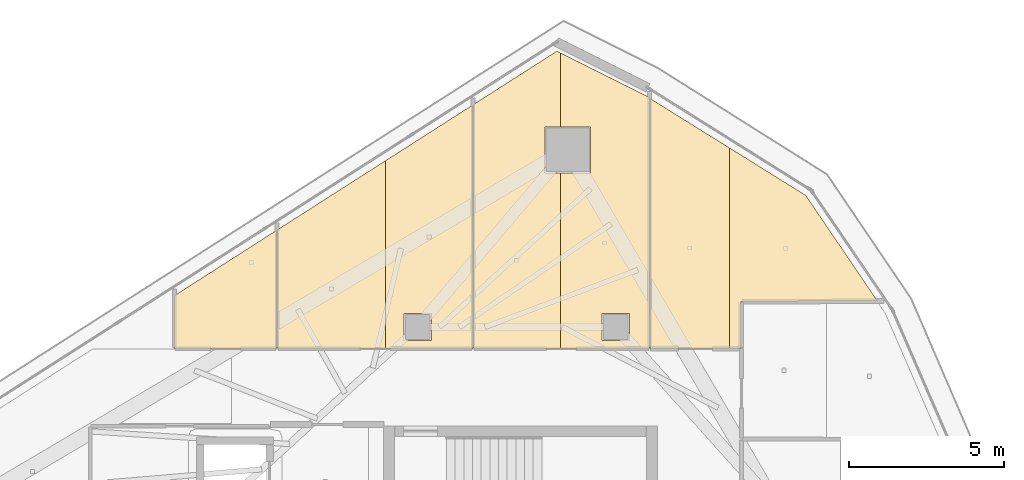
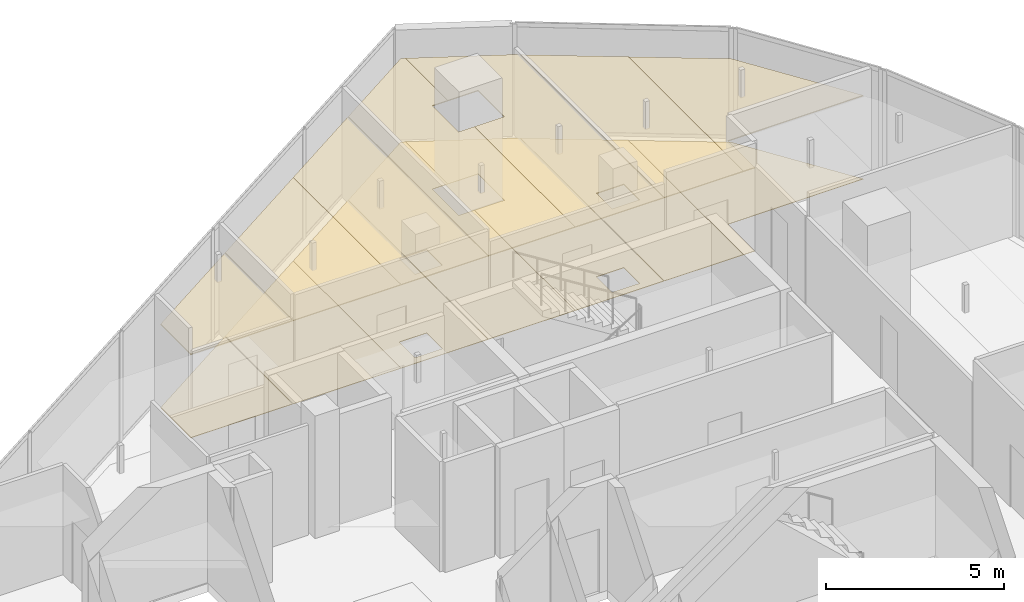
# One storey, part 26 of 26: 14 coverings.
"""IFC4 building model written with IfcOpenShell, lengths in metres."""

from ifc_helpers import new_model, si_unit, direction, frame, origin, place, context, subcontext, project, spatial, polyline, outline, extrude, material, layer, layer_set, type_object, element, save


model = new_model("IFC4")

# Units and contexts
model_context = context("Model", 3, precision=1e-05, world=origin(), true_north=direction((0.0, 1.0)))
body_context = subcontext(model_context, "Body", "Model", "MODEL_VIEW")
ifc_project = project(units=[si_unit("LENGTHUNIT", "METRE"), si_unit("AREAUNIT", "SQUARE_METRE"), si_unit("VOLUMEUNIT", "CUBIC_METRE"), si_unit("PLANEANGLEUNIT", "RADIAN"), si_unit("MASSUNIT", "GRAM", prefix="KILO")], contexts=[model_context])

# Site, building, storey
site_placement = place(None, origin())
site = spatial("IfcSite", under=ifc_project, at=site_placement, CompositionType="ELEMENT")
building_placement = place(site_placement, origin())
building = spatial("IfcBuilding", under=site, at=building_placement, Name="Qorvath Tower", CompositionType="ELEMENT")
storey_placement = place(building_placement, frame((0.0, 0.0, 322.800048828125)))
storey = spatial("IfcBuildingStorey", under=building, at=storey_placement, Name="L75", CompositionType="ELEMENT", Elevation=322.800048828125)

# Coverings
ifc_material_1 = material(Name="Acoustic mineral fibre ceiling tile", Category="gypsum")
ifc_layer_1 = layer(ifc_material_1, 0.030029296875)
ifc_layer_set_1 = layer_set([ifc_layer_1], Name="COV-CEIL")
covering_type_1 = type_object("IfcCoveringType", Name="COV-CEIL", PredefinedType="CEILING", material=ifc_layer_set_1)
covering_1_placement = place(storey_placement, frame((0.0, 0.0, 2.849853515625)))
element("IfcCovering", 1, at=covering_1_placement, inside=storey, type_object=covering_type_1, Name="L75 Suspended Acoustic Ceiling 012", PredefinedType="CEILING", context=body_context, shape_type="SweptSolid", body=[
    extrude(outline(polyline([(-28.15234375, 14.576904296875), (-31.455810546875, 12.465576171875), (-31.455810546875, 10.762939453125), (-28.15234375, 10.762939453125), (-28.15234375, 14.576904296875)])), origin(), (0.0, 0.0, 1.0), 0.030029296875),
])
covering_2_placement = place(storey_placement, frame((0.0, 0.0, 2.849853515625)))
element("IfcCovering", 2, at=covering_2_placement, inside=storey, type_object=covering_type_1, Name="L75 Suspended Acoustic Ceiling 013", PredefinedType="CEILING", context=body_context, shape_type="SweptSolid", body=[
    extrude(outline(polyline([(-24.635498046875, 10.762939453125), (-24.635498046875, 16.82470703125), (-28.13427734375, 14.58837890625), (-28.13427734375, 10.762939453125), (-24.635498046875, 10.762939453125)])), origin(), (0.0, 0.0, 1.0), 0.030029296875),
])
covering_3_placement = place(storey_placement, frame((0.0, 0.0, 2.849853515625)))
element("IfcCovering", 3, at=covering_3_placement, inside=storey, type_object=covering_type_1, Name="L75 Suspended Acoustic Ceiling 014", PredefinedType="CEILING", context=body_context, shape_type="SweptSolid", body=[
    extrude(outline(polyline([(-21.818115234375, 10.762939453125), (-21.8212890625, 18.62353515625), (-24.635498046875, 16.82470703125), (-24.635498046875, 10.762939453125), (-21.818115234375, 10.762939453125)]), holes=[polyline([(-24.04248046875, 11.007568359375), (-24.04248046875, 11.892333984375), (-23.157470703125, 11.892333984375), (-23.157470703125, 11.007568359375), (-24.04248046875, 11.007568359375)])]), origin(), (0.0, 0.0, 1.0), 0.030029296875),
])
covering_4_placement = place(storey_placement, frame((0.0, 0.0, 2.849853515625)))
element("IfcCovering", 4, at=covering_4_placement, inside=storey, type_object=covering_type_1, Name="L75 Suspended Acoustic Ceiling 015", PredefinedType="CEILING", context=body_context, shape_type="SweptSolid", body=[
    extrude(outline(polyline([(-21.800048828125, 10.762939453125), (-18.9873046875, 10.762939453125), (-18.9873046875, 16.43310546875), (-19.492919921875, 16.43310546875), (-19.492919921875, 17.91796875), (-18.9873046875, 17.91796875), (-18.9873046875, 20.306884765625), (-19.099365234375, 20.36279296875), (-21.80322265625, 18.634765625), (-21.800048828125, 10.762939453125)])), origin(), (0.0, 0.0, 1.0), 0.030029296875),
])
covering_5_placement = place(storey_placement, frame((0.0, 0.0, 2.849853515625)))
element("IfcCovering", 5, at=covering_5_placement, inside=storey, type_object=covering_type_1, Name="L75 Suspended Acoustic Ceiling 016", PredefinedType="CEILING", context=body_context, shape_type="SweptSolid", body=[
    extrude(outline(polyline([(-18.9873046875, 20.306884765625), (-18.9873046875, 17.91796875), (-18.008056640625, 17.91796875), (-18.008056640625, 16.43310546875), (-18.9873046875, 16.43310546875), (-18.9873046875, 10.762939453125), (-16.111328125, 10.762939453125), (-16.11376953125, 18.8681640625), (-18.9873046875, 20.306884765625)]), holes=[polyline([(-17.642333984375, 11.007568359375), (-17.642333984375, 11.892333984375), (-16.757568359375, 11.892333984375), (-16.757568359375, 11.007568359375), (-17.642333984375, 11.007568359375)])]), origin(), (0.0, 0.0, 1.0), 0.030029296875),
])
covering_6_placement = place(storey_placement, frame((0.0, 0.0, 2.849853515625)))
element("IfcCovering", 6, at=covering_6_placement, inside=storey, type_object=covering_type_1, Name="L75 Suspended Acoustic Ceiling 017", PredefinedType="CEILING", context=body_context, shape_type="SweptSolid", body=[
    extrude(outline(polyline([(-13.526611328125, 10.762939453125), (-13.526611328125, 17.237060546875), (-16.095703125, 18.836669921875), (-16.09326171875, 10.762939453125), (-13.526611328125, 10.762939453125)])), origin(), (0.0, 0.0, 1.0), 0.030029296875),
])
covering_7_placement = place(storey_placement, frame((0.0, 0.0, 2.849853515625)))
element("IfcCovering", 7, at=covering_7_placement, inside=storey, type_object=covering_type_1, Name="L75 Suspended Acoustic Ceiling 018", PredefinedType="CEILING", context=body_context, shape_type="SweptSolid", body=[
    extrude(outline(polyline([(-13.153564453125, 12.273193359375), (-8.748291015625, 12.294921875), (-11.060546875, 15.701904296875), (-13.526611328125, 17.237060546875), (-13.526611328125, 10.762939453125), (-13.155029296875, 10.762939453125), (-13.153564453125, 12.273193359375)])), origin(), (0.0, 0.0, 1.0), 0.030029296875),
])
ifc_material_2 = material(Name="Low-VOC modular carpet tile", Category="textile")
ifc_layer_2 = layer(ifc_material_2, 0.014892578125)
ifc_layer_set_2 = layer_set([ifc_layer_2], Name="COV-FLOOR-CPT")
covering_type_2 = type_object("IfcCoveringType", Name="COV-FLOOR-CPT", PredefinedType="FLOORING", material=ifc_layer_set_2)
covering_8_placement = place(storey_placement, origin())
element("IfcCovering", 8, at=covering_8_placement, inside=storey, type_object=covering_type_2, Name="L75 Floor Finish 012", PredefinedType="FLOORING", context=body_context, shape_type="SweptSolid", body=[
    extrude(outline(polyline([(-28.15234375, 14.576904296875), (-31.455810546875, 12.465576171875), (-31.455810546875, 10.762939453125), (-28.15234375, 10.762939453125), (-28.15234375, 14.576904296875)])), origin(), (0.0, 0.0, 1.0), 0.014892578125),
])
covering_9_placement = place(storey_placement, origin())
element("IfcCovering", 9, at=covering_9_placement, inside=storey, type_object=covering_type_2, Name="L75 Floor Finish 013", PredefinedType="FLOORING", context=body_context, shape_type="SweptSolid", body=[
    extrude(outline(polyline([(-24.635498046875, 10.762939453125), (-24.635498046875, 16.82470703125), (-28.13427734375, 14.58837890625), (-28.13427734375, 10.762939453125), (-24.635498046875, 10.762939453125)])), origin(), (0.0, 0.0, 1.0), 0.014892578125),
])
covering_10_placement = place(storey_placement, origin())
element("IfcCovering", 10, at=covering_10_placement, inside=storey, type_object=covering_type_2, Name="L75 Floor Finish 014", PredefinedType="FLOORING", context=body_context, shape_type="SweptSolid", body=[
    extrude(outline(polyline([(-21.818115234375, 10.762939453125), (-21.8212890625, 18.62353515625), (-24.635498046875, 16.82470703125), (-24.635498046875, 10.762939453125), (-21.818115234375, 10.762939453125)]), holes=[polyline([(-24.04248046875, 11.007568359375), (-24.04248046875, 11.892333984375), (-23.157470703125, 11.892333984375), (-23.157470703125, 11.007568359375), (-24.04248046875, 11.007568359375)])]), origin(), (0.0, 0.0, 1.0), 0.014892578125),
])
covering_11_placement = place(storey_placement, origin())
element("IfcCovering", 11, at=covering_11_placement, inside=storey, type_object=covering_type_2, Name="L75 Floor Finish 015", PredefinedType="FLOORING", context=body_context, shape_type="SweptSolid", body=[
    extrude(outline(polyline([(-21.800048828125, 10.762939453125), (-18.9873046875, 10.762939453125), (-18.9873046875, 16.43310546875), (-19.492919921875, 16.43310546875), (-19.492919921875, 17.91796875), (-18.9873046875, 17.91796875), (-18.9873046875, 20.306884765625), (-19.099365234375, 20.36279296875), (-21.80322265625, 18.634765625), (-21.800048828125, 10.762939453125)])), origin(), (0.0, 0.0, 1.0), 0.014892578125),
])
covering_12_placement = place(storey_placement, origin())
element("IfcCovering", 12, at=covering_12_placement, inside=storey, type_object=covering_type_2, Name="L75 Floor Finish 016", PredefinedType="FLOORING", context=body_context, shape_type="SweptSolid", body=[
    extrude(outline(polyline([(-18.9873046875, 20.306884765625), (-18.9873046875, 17.91796875), (-18.008056640625, 17.91796875), (-18.008056640625, 16.43310546875), (-18.9873046875, 16.43310546875), (-18.9873046875, 10.762939453125), (-16.111328125, 10.762939453125), (-16.11376953125, 18.8681640625), (-18.9873046875, 20.306884765625)]), holes=[polyline([(-17.642333984375, 11.007568359375), (-17.642333984375, 11.892333984375), (-16.757568359375, 11.892333984375), (-16.757568359375, 11.007568359375), (-17.642333984375, 11.007568359375)])]), origin(), (0.0, 0.0, 1.0), 0.014892578125),
])
covering_13_placement = place(storey_placement, origin())
element("IfcCovering", 13, at=covering_13_placement, inside=storey, type_object=covering_type_2, Name="L75 Floor Finish 017", PredefinedType="FLOORING", context=body_context, shape_type="SweptSolid", body=[
    extrude(outline(polyline([(-13.526611328125, 10.762939453125), (-13.526611328125, 17.237060546875), (-16.095703125, 18.836669921875), (-16.09326171875, 10.762939453125), (-13.526611328125, 10.762939453125)])), origin(), (0.0, 0.0, 1.0), 0.014892578125),
])
covering_14_placement = place(storey_placement, origin())
element("IfcCovering", 14, at=covering_14_placement, inside=storey, type_object=covering_type_2, Name="L75 Floor Finish 018", PredefinedType="FLOORING", context=body_context, shape_type="SweptSolid", body=[
    extrude(outline(polyline([(-13.153564453125, 12.273193359375), (-8.748291015625, 12.294921875), (-11.060546875, 15.701904296875), (-13.526611328125, 17.237060546875), (-13.526611328125, 10.762939453125), (-13.155029296875, 10.762939453125), (-13.153564453125, 12.273193359375)])), origin(), (0.0, 0.0, 1.0), 0.014892578125),
])

save(model, "model.ifc")
